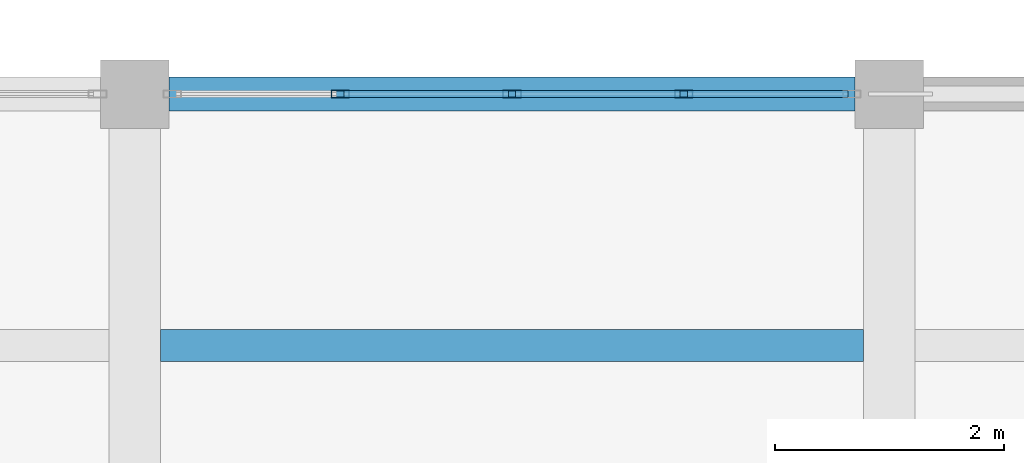
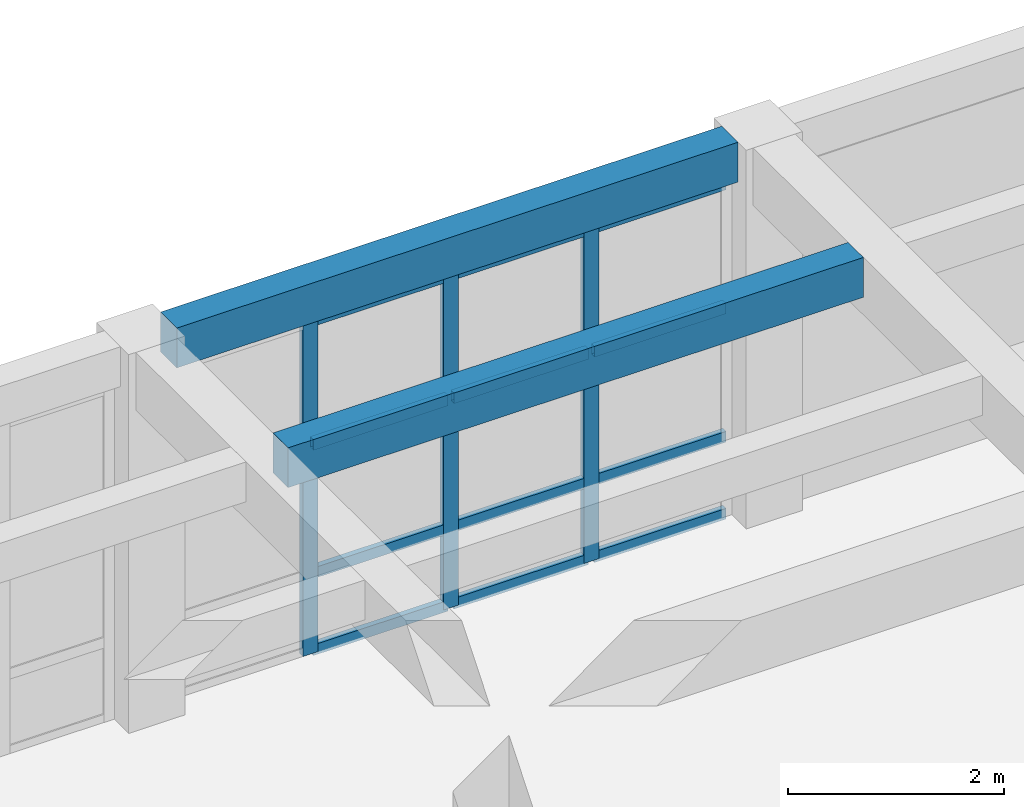
# One storey, part 9 of 67: 15 members, 2 beams, 1 element without a shape of its own.
"""IFC4 building model written with IfcOpenShell, lengths in metres."""

from ifc_helpers import new_model, si_unit, direction, frame, origin, origin_2d, place, context, subcontext, project, spatial, rectangle, hollow_rectangle, extrude, material, layer, layer_set, material_profile, profile_set, type_object, element, aggregate, save


model = new_model("IFC4")

# Units and contexts
model_context = context("Model", 3, precision=1e-05, world=origin(), true_north=direction((0.0, 1.0)))
body_context = subcontext(model_context, "Body", "Model", "MODEL_VIEW")
ifc_project = project(units=[si_unit("LENGTHUNIT", "METRE"), si_unit("AREAUNIT", "SQUARE_METRE"), si_unit("VOLUMEUNIT", "CUBIC_METRE"), si_unit("PLANEANGLEUNIT", "RADIAN"), si_unit("MASSUNIT", "GRAM", prefix="KILO")], contexts=[model_context])

# Site, building, storey
site_placement = place(None, origin())
site = spatial("IfcSite", under=ifc_project, at=site_placement, CompositionType="ELEMENT")
building_placement = place(site_placement, origin())
building = spatial("IfcBuilding", under=site, at=building_placement, Name="Kharisveld Research Institute", CompositionType="ELEMENT")
storey_placement = place(building_placement, frame((0.0, 0.0, 9.60009765625)))
storey = spatial("IfcBuildingStorey", under=building, at=storey_placement, Name="L02", CompositionType="ELEMENT", Elevation=9.60009765625)

# Curtain wall, members
ifc_material_1 = material(Name="Thermally Broken Aluminium Curtain Wall", Category="aluminium")
ifc_layer = layer(ifc_material_1, 0.159912109375)
ifc_layer_set = layer_set([ifc_layer], Name="CW_SYS_02")
curtain_wall_type = type_object("IfcCurtainWallType", Name="CW_SYS_02", PredefinedType="NOTDEFINED", material=ifc_layer_set)
curtain_wall_placement = place(storey_placement, origin())
curtain_wall = element("IfcCurtainWall", 1, at=curtain_wall_placement, inside=storey, type_object=curtain_wall_type, Name="CW:V3:L02:N4", PredefinedType="NOTDEFINED")
ifc_material_2 = material(Name="Anodised Aluminium AW-6063-T6", Category="aluminium")
ifc_material_profile_1 = material_profile(ifc_material_2, hollow_rectangle(XDim=0.06494140625, YDim=0.159912109375, WallThickness=0.00390625, at=origin_2d()))
ifc_profile_set_1 = profile_set([ifc_material_profile_1], Name="Anodised Aluminium AW-6063-T6")
member_type_1 = type_object("IfcMemberType", Name="CW_MUL_160", PredefinedType="MULLION", material=ifc_profile_set_1)
member_1_placement = place(storey_placement, frame((28.797607421875, 26.60009765625, 0.0), z_axis=(0.0, 0.0, 1.0), x_axis=(0.0, 1.0, 0.0)))
member_1 = element("IfcMember", 2, at=member_1_placement, type_object=member_type_1, Name="CW-02 mullion 2", PredefinedType="MULLION", context=body_context, shape_type="SweptSolid", body=[
    extrude(hollow_rectangle(XDim=0.06494140625, YDim=0.159912109375, WallThickness=0.00390625, at=origin_2d()), origin(), (0.0, 0.0, 1.0), 3.77978515625),
])
member_2_placement = place(storey_placement, frame((30.300048828125, 26.60009765625, 0.0), z_axis=(0.0, 0.0, 1.0), x_axis=(0.0, 1.0, 0.0)))
member_2 = element("IfcMember", 3, at=member_2_placement, type_object=member_type_1, Name="CW-02 mullion 3", PredefinedType="MULLION", context=body_context, shape_type="SweptSolid", body=[
    extrude(hollow_rectangle(XDim=0.06494140625, YDim=0.159912109375, WallThickness=0.00390625, at=origin_2d()), origin(), (0.0, 0.0, 1.0), 3.77978515625),
])
member_3_placement = place(storey_placement, frame((31.802490234375, 26.60009765625, 0.0), z_axis=(0.0, 0.0, 1.0), x_axis=(0.0, 1.0, 0.0)))
member_3 = element("IfcMember", 4, at=member_3_placement, type_object=member_type_1, Name="CW-02 mullion 4", PredefinedType="MULLION", context=body_context, shape_type="SweptSolid", body=[
    extrude(hollow_rectangle(XDim=0.06494140625, YDim=0.159912109375, WallThickness=0.00390625, at=origin_2d()), origin(), (0.0, 0.0, 1.0), 3.77978515625),
])
ifc_material_3 = material(Name="Anodised Aluminium AW-6063-T6", Category="aluminium")
ifc_material_profile_2 = material_profile(ifc_material_3, hollow_rectangle(XDim=0.06005859375, YDim=0.1201171875, WallThickness=0.00390625, at=origin_2d()))
ifc_profile_set_2 = profile_set([ifc_material_profile_2], Name="Anodised Aluminium AW-6063-T6")
member_type_2 = type_object("IfcMemberType", Name="CW_TRN_120", PredefinedType="USERDEFINED", material=ifc_profile_set_2)
member_4_placement = place(storey_placement, frame((28.830078125, 26.60009765625, 0.02978515625), z_axis=(1.0, 0.0, 0.0), x_axis=(0.0, 1.0, 0.0)))
member_4 = element("IfcMember", 5, at=member_4_placement, type_object=member_type_2, Name="CW-02 transom 2.1", ObjectType="TRANSOM", PredefinedType="USERDEFINED", context=body_context, shape_type="SweptSolid", body=[
    extrude(hollow_rectangle(XDim=0.06005859375, YDim=0.1201171875, WallThickness=0.00390625, at=origin_2d()), origin(), (0.0, 0.0, 1.0), 1.4375),
])
member_5_placement = place(storey_placement, frame((28.830078125, 26.60009765625, 0.89990234375), z_axis=(1.0, 0.0, 0.0), x_axis=(0.0, 1.0, 0.0)))
member_5 = element("IfcMember", 6, at=member_5_placement, type_object=member_type_2, Name="CW-02 transom 2.2", ObjectType="TRANSOM", PredefinedType="USERDEFINED", context=body_context, shape_type="SweptSolid", body=[
    extrude(hollow_rectangle(XDim=0.06005859375, YDim=0.1201171875, WallThickness=0.00390625, at=origin_2d()), origin(), (0.0, 0.0, 1.0), 1.4375),
])
member_6_placement = place(storey_placement, frame((28.830078125, 26.60009765625, 2.349853515625), z_axis=(1.0, 0.0, 0.0), x_axis=(0.0, 1.0, 0.0)))
member_6 = element("IfcMember", 7, at=member_6_placement, type_object=member_type_2, Name="CW-02 transom 2.3", ObjectType="TRANSOM", PredefinedType="USERDEFINED", context=body_context, shape_type="SweptSolid", body=[
    extrude(hollow_rectangle(XDim=0.06005859375, YDim=0.1201171875, WallThickness=0.00390625, at=origin_2d()), origin(), (0.0, 0.0, 1.0), 1.4375),
])
member_7_placement = place(storey_placement, frame((28.830078125, 26.60009765625, 3.75), z_axis=(1.0, 0.0, 0.0), x_axis=(0.0, 1.0, 0.0)))
member_7 = element("IfcMember", 8, at=member_7_placement, type_object=member_type_2, Name="CW-02 transom 2.4", ObjectType="TRANSOM", PredefinedType="USERDEFINED", context=body_context, shape_type="SweptSolid", body=[
    extrude(hollow_rectangle(XDim=0.06005859375, YDim=0.1201171875, WallThickness=0.00390625, at=origin_2d()), origin(), (0.0, 0.0, 1.0), 1.4375),
])
member_8_placement = place(storey_placement, frame((30.33251953125, 26.60009765625, 0.02978515625), z_axis=(1.0, 0.0, 0.0), x_axis=(0.0, 1.0, 0.0)))
member_8 = element("IfcMember", 9, at=member_8_placement, type_object=member_type_2, Name="CW-02 transom 3.1", ObjectType="TRANSOM", PredefinedType="USERDEFINED", context=body_context, shape_type="SweptSolid", body=[
    extrude(hollow_rectangle(XDim=0.06005859375, YDim=0.1201171875, WallThickness=0.00390625, at=origin_2d()), origin(), (0.0, 0.0, 1.0), 1.4375),
])
member_9_placement = place(storey_placement, frame((30.33251953125, 26.60009765625, 0.89990234375), z_axis=(1.0, 0.0, 0.0), x_axis=(0.0, 1.0, 0.0)))
member_9 = element("IfcMember", 10, at=member_9_placement, type_object=member_type_2, Name="CW-02 transom 3.2", ObjectType="TRANSOM", PredefinedType="USERDEFINED", context=body_context, shape_type="SweptSolid", body=[
    extrude(hollow_rectangle(XDim=0.06005859375, YDim=0.1201171875, WallThickness=0.00390625, at=origin_2d()), origin(), (0.0, 0.0, 1.0), 1.4375),
])
member_10_placement = place(storey_placement, frame((30.33251953125, 26.60009765625, 2.349853515625), z_axis=(1.0, 0.0, 0.0), x_axis=(0.0, 1.0, 0.0)))
member_10 = element("IfcMember", 11, at=member_10_placement, type_object=member_type_2, Name="CW-02 transom 3.3", ObjectType="TRANSOM", PredefinedType="USERDEFINED", context=body_context, shape_type="SweptSolid", body=[
    extrude(hollow_rectangle(XDim=0.06005859375, YDim=0.1201171875, WallThickness=0.00390625, at=origin_2d()), origin(), (0.0, 0.0, 1.0), 1.4375),
])
member_11_placement = place(storey_placement, frame((30.33251953125, 26.60009765625, 3.75), z_axis=(1.0, 0.0, 0.0), x_axis=(0.0, 1.0, 0.0)))
member_11 = element("IfcMember", 12, at=member_11_placement, type_object=member_type_2, Name="CW-02 transom 3.4", ObjectType="TRANSOM", PredefinedType="USERDEFINED", context=body_context, shape_type="SweptSolid", body=[
    extrude(hollow_rectangle(XDim=0.06005859375, YDim=0.1201171875, WallThickness=0.00390625, at=origin_2d()), origin(), (0.0, 0.0, 1.0), 1.4375),
])
member_12_placement = place(storey_placement, frame((31.8349609375, 26.60009765625, 0.02978515625), z_axis=(1.0, 0.0, 0.0), x_axis=(0.0, 1.0, 0.0)))
member_12 = element("IfcMember", 13, at=member_12_placement, type_object=member_type_2, Name="CW-02 transom 4.1", ObjectType="TRANSOM", PredefinedType="USERDEFINED", context=body_context, shape_type="SweptSolid", body=[
    extrude(hollow_rectangle(XDim=0.06005859375, YDim=0.1201171875, WallThickness=0.00390625, at=origin_2d()), origin(), (0.0, 0.0, 1.0), 1.405029296875),
])
member_13_placement = place(storey_placement, frame((31.8349609375, 26.60009765625, 0.89990234375), z_axis=(1.0, 0.0, 0.0), x_axis=(0.0, 1.0, 0.0)))
member_13 = element("IfcMember", 14, at=member_13_placement, type_object=member_type_2, Name="CW-02 transom 4.2", ObjectType="TRANSOM", PredefinedType="USERDEFINED", context=body_context, shape_type="SweptSolid", body=[
    extrude(hollow_rectangle(XDim=0.06005859375, YDim=0.1201171875, WallThickness=0.00390625, at=origin_2d()), origin(), (0.0, 0.0, 1.0), 1.405029296875),
])
member_14_placement = place(storey_placement, frame((31.8349609375, 26.60009765625, 2.349853515625), z_axis=(1.0, 0.0, 0.0), x_axis=(0.0, 1.0, 0.0)))
member_14 = element("IfcMember", 15, at=member_14_placement, type_object=member_type_2, Name="CW-02 transom 4.3", ObjectType="TRANSOM", PredefinedType="USERDEFINED", context=body_context, shape_type="SweptSolid", body=[
    extrude(hollow_rectangle(XDim=0.06005859375, YDim=0.1201171875, WallThickness=0.00390625, at=origin_2d()), origin(), (0.0, 0.0, 1.0), 1.405029296875),
])
member_15_placement = place(storey_placement, frame((31.8349609375, 26.60009765625, 3.75), z_axis=(1.0, 0.0, 0.0), x_axis=(0.0, 1.0, 0.0)))
member_15 = element("IfcMember", 16, at=member_15_placement, type_object=member_type_2, Name="CW-02 transom 4.4", ObjectType="TRANSOM", PredefinedType="USERDEFINED", context=body_context, shape_type="SweptSolid", body=[
    extrude(hollow_rectangle(XDim=0.06005859375, YDim=0.1201171875, WallThickness=0.00390625, at=origin_2d()), origin(), (0.0, 0.0, 1.0), 1.405029296875),
])
aggregate(curtain_wall, [member_1, member_2, member_3, member_4, member_5, member_6, member_7, member_8, member_9, member_10, member_11, member_12, member_13, member_14, member_15])

# Beams
ifc_material_4 = material(Name="Concrete C40/50", Category="concrete")
ifc_material_profile_3 = material_profile(ifc_material_4, rectangle(XDim=0.300048828125, YDim=0.449951171875, at=origin_2d()))
ifc_profile_set_3 = profile_set([ifc_material_profile_3], Name="Concrete C40/50")
beam_type_1 = type_object("IfcBeamType", Name="SP_RC_300x450", PredefinedType="SPANDREL", material=ifc_profile_set_3)
beam_1_placement = place(storey_placement, frame((27.300048828125, 26.60009765625, 4.054931640625), z_axis=(1.0, 0.0, 0.0), x_axis=(0.0, 1.0, 0.0)))
element("IfcBeam", 17, at=beam_1_placement, inside=storey, type_object=beam_type_1, Name="BM:V3:L02:U4_4", PredefinedType="SPANDREL", context=body_context, shape_type="SweptSolid", body=[
    extrude(rectangle(XDim=0.300048828125, YDim=0.449951171875, at=origin_2d()), origin(), (0.0, 0.0, 1.0), 6.0),
])
ifc_material_5 = material(Name="Concrete C40/50", Category="concrete")
ifc_material_profile_4 = material_profile(ifc_material_5, rectangle(XDim=0.280029296875, YDim=0.449951171875, at=origin_2d()))
ifc_profile_set_4 = profile_set([ifc_material_profile_4], Name="Concrete C40/50")
beam_type_2 = type_object("IfcBeamType", Name="WB_RC_280x450", PredefinedType="JOIST", material=ifc_profile_set_4)
beam_2_placement = place(storey_placement, frame((27.22509765625, 24.39990234375, 4.054931640625), z_axis=(1.0, 0.0, 0.0), x_axis=(0.0, 1.0, 0.0)))
element("IfcBeam", 18, at=beam_2_placement, inside=storey, type_object=beam_type_2, Name="BM:V3:L02:J_4_3_R2", PredefinedType="JOIST", context=body_context, shape_type="SweptSolid", body=[
    extrude(rectangle(XDim=0.280029296875, YDim=0.449951171875, at=origin_2d()), origin(), (0.0, 0.0, 1.0), 6.14990234375),
])

save(model, "model.ifc")
